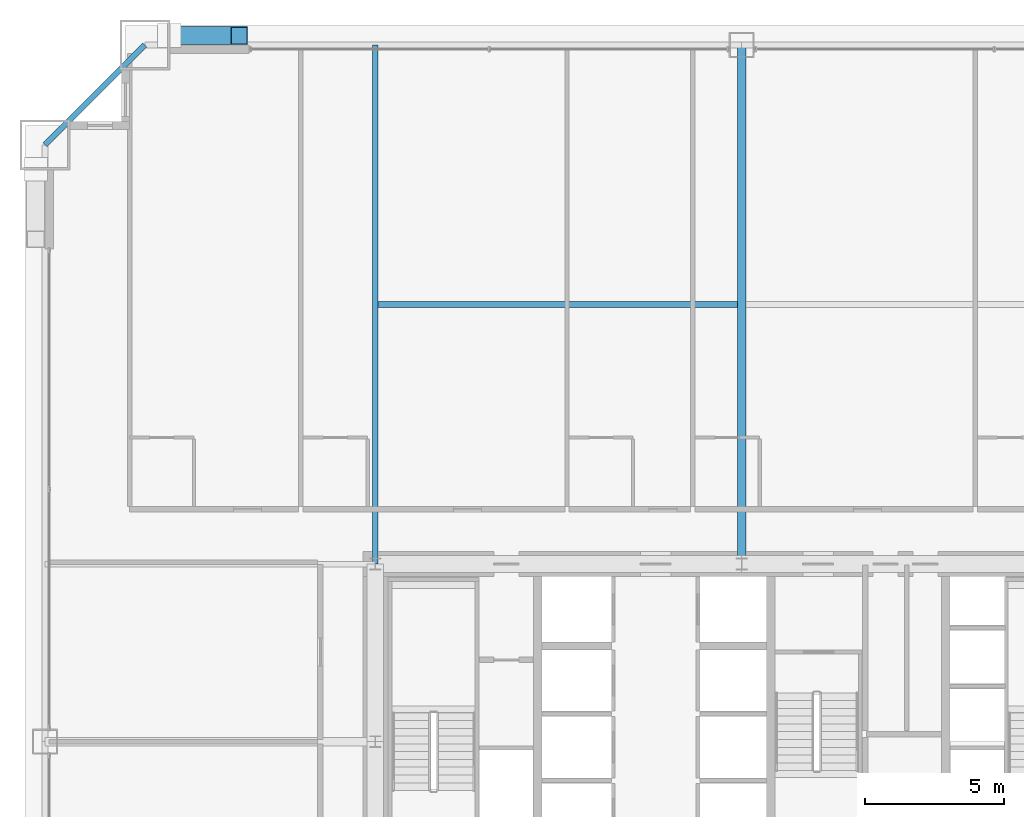
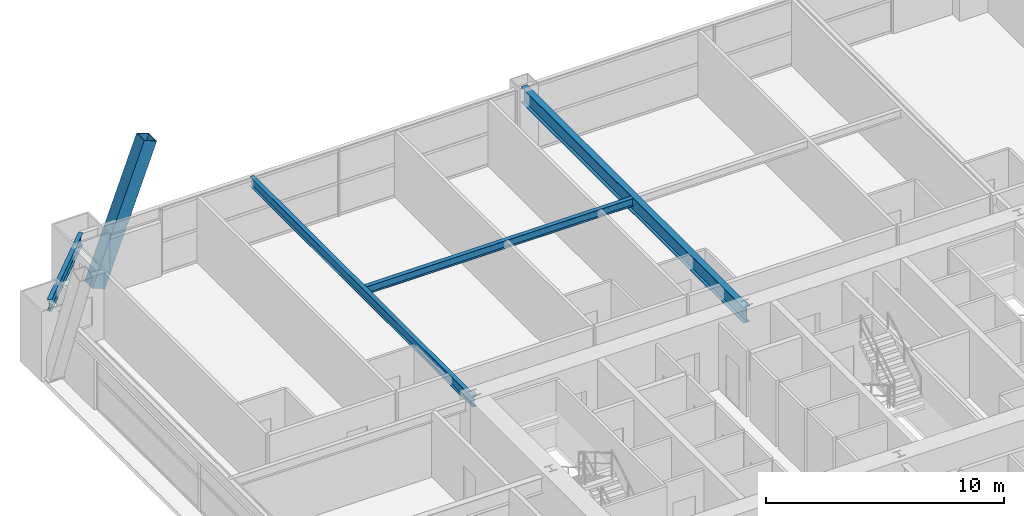
# One storey, part 25 of 43: 4 beams, 1 member.
"""IFC4 building model written with IfcOpenShell, lengths in metres."""

import ifcopenshell
import ifcopenshell.guid

model = None  # the IFC model being written
_history = None  # IfcOwnerHistory: only IFC2X3 demands one
_inside = {}  # id of a spatial element -> (the spatial element, [elements in it])
_under = {}  # id of a project, library or spatial element -> (it, [spatial elements below it])
_declared = {}  # id of a project -> (the project, [libraries it declares])
_typed = {}  # id of a type object -> (the type object, [elements of that type])
_made_of = {}  # id of a material, layer set ... -> (it, [elements and type objects made of it])


def new_model(schema):
    """Start an empty IFC model of exactly this schema.

    Asked for "IFC4X3", IfcOpenShell would pick the latest addendum, in which some entities
    have other attributes; the version numbers below select the first issue.
    IFC2X3 requires an IfcOwnerHistory on every rooted entity: one is made here for all.
    """
    global model, _history
    if schema == "IFC4X3":
        model = ifcopenshell.file(schema_version=(4, 3, 0, 0))
    else:
        model = ifcopenshell.file(schema=schema)
    _inside.clear()
    _under.clear()
    _declared.clear()
    _typed.clear()
    _made_of.clear()
    _history = None
    if model.schema == "IFC2X3":
        org = make("IfcOrganization", Name="unknown")
        user = make(
            "IfcPersonAndOrganization",
            ThePerson=make("IfcPerson", FamilyName="unknown"),
            TheOrganization=org,
        )
        app = make(
            "IfcApplication",
            ApplicationDeveloper=org,
            Version="unknown",
            ApplicationFullName="unknown",
            ApplicationIdentifier="unknown",
        )
        _history = make(
            "IfcOwnerHistory",
            OwningUser=user,
            OwningApplication=app,
            ChangeAction="ADDED",
            CreationDate=0,
        )
    return model


def make(cls, **values):
    """One entity of the class cls with the attributes given. An attribute that is None is left unset."""
    return model.create_entity(
        cls, **{name: value for name, value in values.items() if value is not None}
    )


def rooted(cls, **values):
    """An entity with a GlobalId (a new one), such as an element, a storey or a relation."""
    return make(cls, GlobalId=ifcopenshell.guid.new(), OwnerHistory=_history, **values)


def si_unit(unit_type, name, prefix=None):
    """IfcSIUnit, for example si_unit("LENGTHUNIT", "METRE", prefix="MILLI")."""
    return make("IfcSIUnit", UnitType=unit_type, Prefix=prefix, Name=name)


def assignment(units):
    """IfcUnitAssignment: the units of a project."""
    return None if units is None else make("IfcUnitAssignment", Units=units)


def point(xyz):
    """IfcCartesianPoint."""
    return None if xyz is None else make("IfcCartesianPoint", Coordinates=xyz)


def direction(xyz):
    """IfcDirection."""
    return None if xyz is None else make("IfcDirection", DirectionRatios=xyz)


def frame(location, z_axis=None, x_axis=None):
    """IfcAxis2Placement3D, a coordinate frame: its origin and axes. An axis left out is left unset."""
    return make(
        "IfcAxis2Placement3D",
        Location=point(location),
        Axis=direction(z_axis),
        RefDirection=direction(x_axis),
    )


def frame_2d(location, x_axis=None):
    """IfcAxis2Placement2D, a coordinate frame in the plane: its origin and x axis."""
    return make(
        "IfcAxis2Placement2D", Location=point(location), RefDirection=direction(x_axis)
    )


def origin():
    """The frame at (0, 0, 0) with its axes left unset."""
    return frame((0.0, 0.0, 0.0))


def origin_2d():
    """The frame at (0, 0) in the plane with its x axis left unset."""
    return frame_2d((0.0, 0.0))


def place(relative_to, where):
    """IfcLocalPlacement: puts the frame where relative to a parent placement (None: the world)."""
    return make(
        "IfcLocalPlacement", PlacementRelTo=relative_to, RelativePlacement=where
    )


def context(
    kind, dimensions, precision=None, world=None, true_north=None, identifier=None
):
    """IfcGeometricRepresentationContext, for example the 3D "Model" context."""
    return make(
        "IfcGeometricRepresentationContext",
        ContextIdentifier=identifier,
        ContextType=kind,
        CoordinateSpaceDimension=dimensions,
        Precision=precision,
        WorldCoordinateSystem=world,
        TrueNorth=true_north,
    )


def subcontext(parent, identifier, kind, view, scale=None):
    """IfcGeometricRepresentationSubContext, for example "Body" below "Model"."""
    return make(
        "IfcGeometricRepresentationSubContext",
        ContextIdentifier=identifier,
        ContextType=kind,
        ParentContext=parent,
        TargetScale=scale,
        TargetView=view,
    )


def project(units=None, contexts=None):
    """IfcProject with its units and contexts."""
    return rooted(
        "IfcProject",
        Name="project",
        RepresentationContexts=contexts,
        UnitsInContext=assignment(units),
    )


def spatial(cls, under=None, at=None, **own):
    """A site, building, storey or space (cls), placed at a placement, below another one or the project."""
    s = rooted(cls, ObjectPlacement=at, **own)
    if under is not None:
        _under.setdefault(under.id(), (under, []))[1].append(s)
    return s


def profile(cls, at=None, kind="AREA", **sizes):
    """A parametric profile (cls). Its sizes go by their IFC names, for example OverallWidth=200.0."""
    return make(cls, ProfileType=kind, Position=at, **sizes)


def hollow_rectangle(**sizes):
    """IfcRectangleHollowProfileDef."""
    return profile("IfcRectangleHollowProfileDef", **sizes)


def i_section(**sizes):
    """IfcIShapeProfileDef."""
    return profile("IfcIShapeProfileDef", **sizes)


def extrude(swept, where, along, depth):
    """IfcExtrudedAreaSolid: the profile swept, set in the frame where, extruded along a direction by depth."""
    return make(
        "IfcExtrudedAreaSolid",
        SweptArea=swept,
        Position=where,
        ExtrudedDirection=direction(along),
        Depth=depth,
    )


def shape(context_of_items, identifier, shape_type, items):
    """IfcShapeRepresentation: the items that make up one representation, for example the "Body"."""
    return make(
        "IfcShapeRepresentation",
        ContextOfItems=context_of_items,
        RepresentationIdentifier=identifier,
        RepresentationType=shape_type,
        Items=items,
    )


def source(mapping_origin, context_of_items, identifier, shape_type, items):
    """IfcRepresentationMap: a shape defined once, which mapped items show again and again."""
    return make(
        "IfcRepresentationMap",
        MappingOrigin=mapping_origin,
        MappedRepresentation=shape(context_of_items, identifier, shape_type, items),
    )


def transform(
    local_origin,
    x_axis=None,
    y_axis=None,
    z_axis=None,
    scale=None,
    scale2=None,
    scale3=None,
    uniform=True,
):
    """IfcCartesianTransformationOperator3D, or its non-uniform kind. x_axis, y_axis, z_axis: its Axis1, 2, 3."""
    if uniform:
        return make(
            "IfcCartesianTransformationOperator3D",
            Axis1=direction(x_axis),
            Axis2=direction(y_axis),
            LocalOrigin=point(local_origin),
            Scale=scale,
            Axis3=direction(z_axis),
        )
    return make(
        "IfcCartesianTransformationOperator3DnonUniform",
        Axis1=direction(x_axis),
        Axis2=direction(y_axis),
        LocalOrigin=point(local_origin),
        Scale=scale,
        Axis3=direction(z_axis),
        Scale2=scale2,
        Scale3=scale3,
    )


def mapped(mapping_source, mapping_target):
    """IfcMappedItem: shows the shape of a source again, moved by a transform."""
    return make(
        "IfcMappedItem", MappingSource=mapping_source, MappingTarget=mapping_target
    )


def material(Name=None, Category=None):
    """IfcMaterial."""
    return make("IfcMaterial", Name=Name, Category=Category)


def material_profile(
    of_material, cross_section, Name=None, Category=None, Priority=None
):
    """IfcMaterialProfile: a cross section and its material."""
    return make(
        "IfcMaterialProfile",
        Name=Name,
        Material=of_material,
        Profile=cross_section,
        Priority=Priority,
        Category=Category,
    )


def profile_set(profiles, Name=None, composite=None):
    """IfcMaterialProfileSet."""
    return make(
        "IfcMaterialProfileSet",
        Name=Name,
        MaterialProfiles=profiles,
        CompositeProfile=composite,
    )


def made_of(thing, what):
    """Note that an element or type object is made of a material, layer set ...; save() writes the relation."""
    if what is not None:
        _made_of.setdefault(what.id(), (what, []))[1].append(thing)
    return thing


def type_object(cls, material=None, **own):
    """A type object (cls), such as IfcWallType, which elements share."""
    return made_of(rooted(cls, **own), material)


def element(
    cls,
    number,
    at=None,
    inside=None,
    cuts=None,
    type_object=None,
    material=None,
    context=None,
    identifier="Body",
    shape_type=None,
    held_by="IfcProductDefinitionShape",
    body=None,
    shapes=None,
    **own,
):
    """One element of the class cls, such as IfcWall. Its Tag is "e" and its number.

    at: its placement. inside: the storey or other place that contains it. cuts: it is an
    opening in that element (IfcRelVoidsElement). A single representation is given by context,
    identifier, shape_type and body (its items); several are given by shapes. held_by: the class
    of the entity that holds the representations. save() writes the other relations.
    """
    e = rooted(cls, Tag="e%d" % number, ObjectPlacement=at, **own)
    if body is not None:
        shapes = [shape(context, identifier, shape_type, body)]
    if shapes is not None:
        e.Representation = make(held_by, Representations=shapes)
    if inside is not None:
        _inside.setdefault(inside.id(), (inside, []))[1].append(e)
    if cuts is not None:
        rooted(
            "IfcRelVoidsElement", RelatingBuildingElement=cuts, RelatedOpeningElement=e
        )
    if type_object is not None:
        _typed.setdefault(type_object.id(), (type_object, []))[1].append(e)
    return made_of(e, material)


def aggregate(whole, parts):
    """IfcRelAggregates: a whole, such as a stair, and the parts it consists of."""
    return rooted("IfcRelAggregates", RelatingObject=whole, RelatedObjects=parts)


def save(model, path):
    """Write the relations noted so far, then the file.

    IfcRelAggregates (storeys below a building ...), IfcRelContainedInSpatialStructure (elements
    in a storey), IfcRelDefinesByType, IfcRelAssociatesMaterial and IfcRelDeclares: one each for
    every whole, place, type object, material and project.
    """
    for whole, parts in _under.values():
        aggregate(whole, parts)
    for where, things in _inside.values():
        rooted(
            "IfcRelContainedInSpatialStructure",
            RelatedElements=things,
            RelatingStructure=where,
        )
    for kind, things in _typed.values():
        rooted("IfcRelDefinesByType", RelatedObjects=things, RelatingType=kind)
    for what, things in _made_of.values():
        rooted("IfcRelAssociatesMaterial", RelatedObjects=things, RelatingMaterial=what)
    for by, libraries in _declared.values():
        rooted("IfcRelDeclares", RelatingContext=by, RelatedDefinitions=libraries)
    model.write(path)


model = new_model("IFC4")

# Units and contexts
model_context = context("Model", 3, precision=1e-05, world=origin(), true_north=direction((0.0, 1.0)))
body_context = subcontext(model_context, "Body", "Model", "MODEL_VIEW")
ifc_project = project(units=[si_unit("LENGTHUNIT", "METRE"), si_unit("AREAUNIT", "SQUARE_METRE"), si_unit("VOLUMEUNIT", "CUBIC_METRE"), si_unit("PLANEANGLEUNIT", "RADIAN"), si_unit("MASSUNIT", "GRAM", prefix="KILO"), si_unit("THERMODYNAMICTEMPERATUREUNIT", "KELVIN"), si_unit("POWERUNIT", "WATT")], contexts=[model_context])

# Site, building, storey
site_placement = place(None, origin())
site = spatial("IfcSite", under=ifc_project, at=site_placement, CompositionType="ELEMENT")
building_placement = place(site_placement, origin())
building = spatial("IfcBuilding", under=site, at=building_placement, Name="Yuzanri Waterfront Tower", CompositionType="ELEMENT")
storey_placement = place(building_placement, frame((0.0, 0.0, 67.60009765625)))
storey = spatial("IfcBuildingStorey", under=building, at=storey_placement, Name="L17", CompositionType="ELEMENT", Elevation=67.60009765625)

# Beams
ifc_material_1 = material(Name="Steel Q355B", Category="steel")
ifc_material_profile_1 = material_profile(ifc_material_1, i_section(OverallWidth=0.199951171875, OverallDepth=0.60009765625, WebThickness=0.010986328125, FlangeThickness=0.01708984375, at=origin_2d()), Name="HN 600x200x11x17")
ifc_profile_set_1 = profile_set([ifc_material_profile_1], Name="Steel Q355B")
beam_type_1 = type_object("IfcBeamType", Name="Perimeter Spandrel Q355B HN 600x200", PredefinedType="SPANDREL", material=ifc_profile_set_1)
shared_shape_1 = source(origin(), body_context, "Body", "SweptSolid", [
    extrude(i_section(OverallWidth=0.199951171875, OverallDepth=0.60009765625, WebThickness=0.010986328125, FlangeThickness=0.01708984375, at=origin_2d()), origin(), (0.0, 0.0, 1.0), 5.091064453125),
])
beam_1_placement = place(storey_placement, frame((15.5, 50.89990234375, 3.079833984375), z_axis=(-0.707130757816, -0.707082803744, 0.0), x_axis=(0.707082803744, -0.707130757816, 0.0)))
element("IfcBeam", 1, at=beam_1_placement, inside=storey, type_object=beam_type_1, Name="L17 Perimeter Spandrel N1-W3", PredefinedType="SPANDREL", context=body_context, shape_type="MappedRepresentation", body=[
    mapped(shared_shape_1, transform((0.0, 0.0, 0.0), scale=1.0)),
])
ifc_material_2 = material(Name="Steel Q355B", Category="steel")
ifc_material_profile_2 = material_profile(ifc_material_2, i_section(OverallWidth=0.300048828125, OverallDepth=0.800048828125, WebThickness=0.013916015625, FlangeThickness=0.02587890625, at=origin_2d()), Name="HN 800x300x14x26")
ifc_profile_set_2 = profile_set([ifc_material_profile_2], Name="Steel Q355B")
beam_type_2 = type_object("IfcBeamType", Name="Primary Floor Girder Q355B HN 800x300", PredefinedType="BEAM", material=ifc_profile_set_2)
shared_shape_2 = source(origin(), body_context, "Body", "SweptSolid", [
    extrude(i_section(OverallWidth=0.300048828125, OverallDepth=0.800048828125, WebThickness=0.013916015625, FlangeThickness=0.02587890625, at=origin_2d()), origin(), (0.0, 0.0, 1.0), 18.699951171875),
])
beam_2_placement = place(storey_placement, frame((37.0, 32.199951171875, 2.97998046875), z_axis=(0.0, 1.0, 0.0), x_axis=(-1.0, 0.0, 0.0)))
element("IfcBeam", 2, at=beam_2_placement, inside=storey, type_object=beam_type_2, Name="L17 North Grid Girder", PredefinedType="BEAM", context=body_context, shape_type="MappedRepresentation", body=[
    mapped(shared_shape_2, transform((0.0, 0.0, 0.0), scale=1.0)),
])
ifc_material_3 = material(Name="Steel Q355B", Category="steel")
ifc_material_profile_3 = material_profile(ifc_material_3, i_section(OverallWidth=0.199951171875, OverallDepth=0.5, WebThickness=0.010009765625, FlangeThickness=0.01611328125, at=origin_2d()), Name="HN 500x200x10x16")
ifc_profile_set_3 = profile_set([ifc_material_profile_3], Name="Steel Q355B")
beam_type_3 = type_object("IfcBeamType", Name="Secondary Floor Beam Q355B HN 500x200", PredefinedType="BEAM", material=ifc_profile_set_3)
shared_shape_3 = source(origin(), body_context, "Body", "SweptSolid", [
    extrude(i_section(OverallWidth=0.199951171875, OverallDepth=0.5, WebThickness=0.010009765625, FlangeThickness=0.01611328125, at=origin_2d()), origin(), (0.0, 0.0, 1.0), 18.699951171875),
])
beam_3_placement = place(storey_placement, frame((23.800048828125, 32.199951171875, 3.1298828125), z_axis=(0.0, 1.0, 0.0), x_axis=(-1.0, 0.0, 0.0)))
element("IfcBeam", 3, at=beam_3_placement, inside=storey, type_object=beam_type_3, Name="L17 North-West Core Line Beam", PredefinedType="BEAM", context=body_context, shape_type="MappedRepresentation", body=[
    mapped(shared_shape_3, transform((0.0, 0.0, 0.0), scale=1.0)),
])
ifc_material_4 = material(Name="Steel Q355B", Category="steel")
ifc_material_profile_4 = material_profile(ifc_material_4, i_section(OverallWidth=0.199951171875, OverallDepth=0.39990234375, WebThickness=0.008056640625, FlangeThickness=0.012939453125, at=origin_2d()), Name="HN 400x200x8x13")
ifc_profile_set_4 = profile_set([ifc_material_profile_4], Name="Steel Q355B")
beam_type_4 = type_object("IfcBeamType", Name="Floor Joist Q355B HN 400x200", PredefinedType="JOIST", material=ifc_profile_set_4)
shared_shape_4 = source(origin(), body_context, "Body", "SweptSolid", [
    extrude(i_section(OverallWidth=0.199951171875, OverallDepth=0.39990234375, WebThickness=0.008056640625, FlangeThickness=0.012939453125, at=origin_2d()), origin(), (0.0, 0.0, 1.0), 12.9501953125),
])
beam_4_placement = place(storey_placement, frame((23.89990234375, 41.550048828125, 3.179931640625), z_axis=(1.0, 0.0, 0.0), x_axis=(0.0, 1.0, 0.0)))
element("IfcBeam", 4, at=beam_4_placement, inside=storey, type_object=beam_type_4, Name="L17 North Bay Joist W", PredefinedType="JOIST", context=body_context, shape_type="MappedRepresentation", body=[
    mapped(shared_shape_4, transform((0.0, 0.0, 0.0), scale=1.0)),
])

# Member
ifc_material_5 = material(Name="Steel Q420GJC", Category="steel")
ifc_material_profile_5 = material_profile(ifc_material_5, hollow_rectangle(XDim=0.64990234375, YDim=0.64990234375, WallThickness=0.028076171875, at=origin_2d()), Name="RHS 650x650x28")
ifc_profile_set_5 = profile_set([ifc_material_profile_5], Name="Steel Q420GJC")
member_type = type_object("IfcMemberType", Name="Mega Brace Lower Q420GJC RHS 650x650x28", PredefinedType="BRACE", material=ifc_profile_set_5)
shared_shape_5 = source(origin(), body_context, "Body", "SweptSolid", [
    extrude(hollow_rectangle(XDim=0.64990234375, YDim=0.64990234375, WallThickness=0.028076171875, at=origin_2d()), origin(), (0.0, 0.0, 1.0), 7.158203125),
])
member_placement = place(storey_placement, frame((16.3798828125, 51.239990234375, 0.179931640625), z_axis=(0.352046480343, 0.0, 0.935982518896), x_axis=(0.0, 1.0, 0.0)))
element("IfcMember", 5, at=member_placement, inside=storey, type_object=member_type, Name="L17-L18 Perimeter Mega-Brace N-L", PredefinedType="BRACE", context=body_context, shape_type="MappedRepresentation", body=[
    mapped(shared_shape_5, transform((0.0, 0.0, 0.0), scale=1.0)),
])

save(model, "model.ifc")
